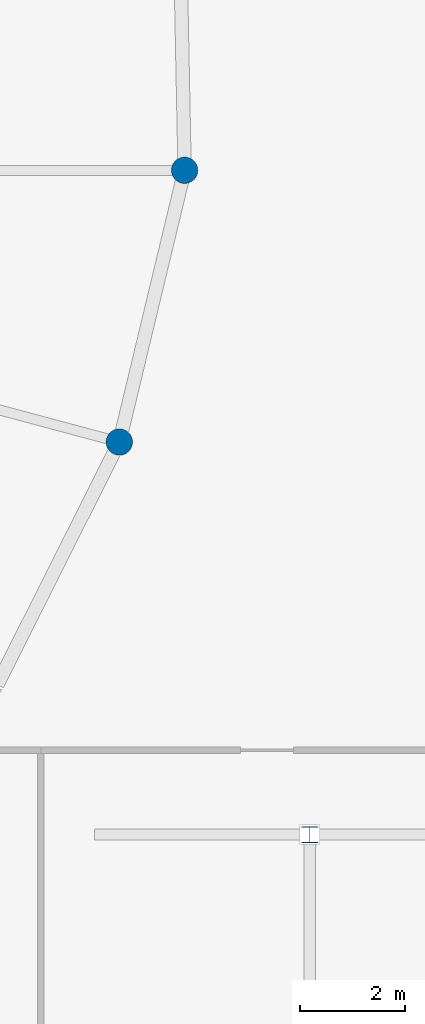
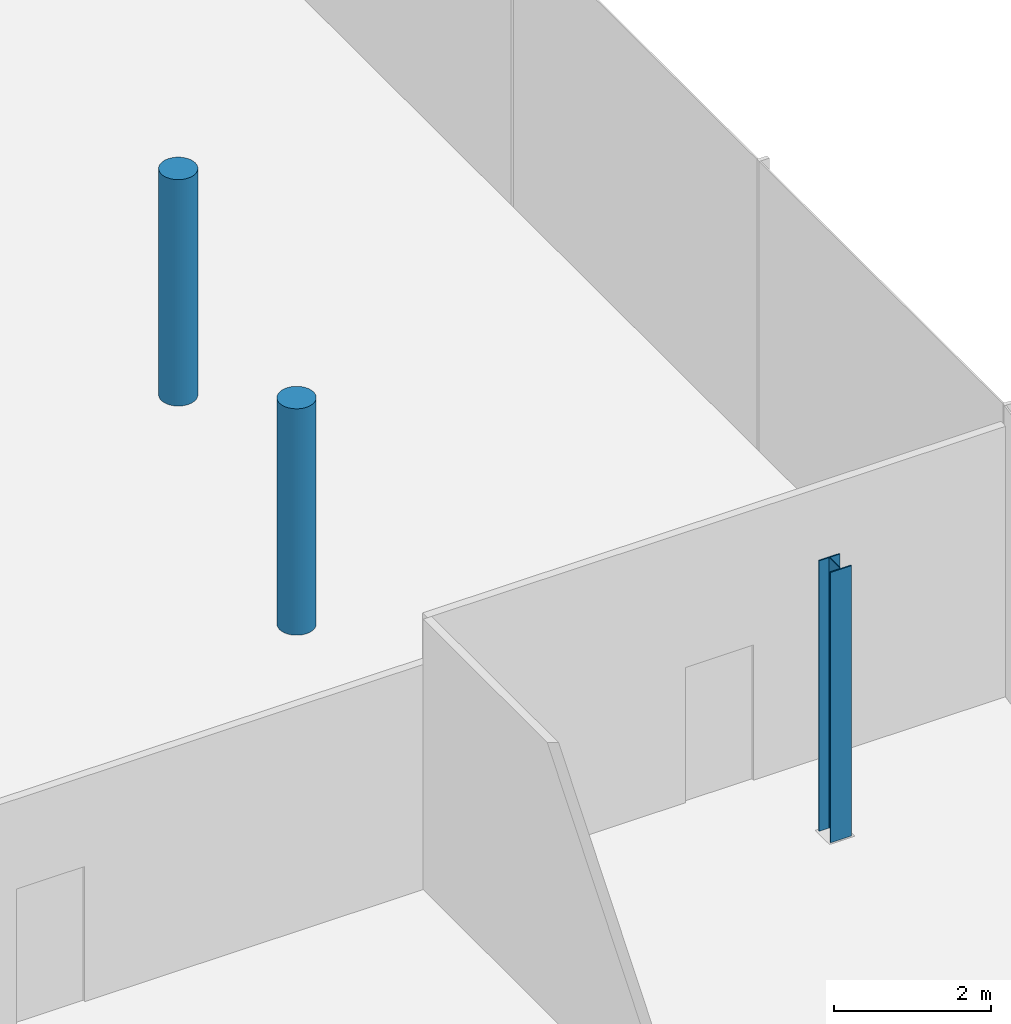
# One storey, part 6 of 49: 3 columns.
"""IFC4 building model written with IfcOpenShell, lengths in metres."""

from ifc_helpers import new_model, si_unit, direction, frame, origin, origin_2d, place, context, subcontext, project, spatial, circle, i_section, extrude, material, material_profile, profile_set, type_object, element, save


model = new_model("IFC4")

# Units and contexts
model_context = context("Model", 3, precision=1e-05, world=origin(), true_north=direction((0.0, 1.0)))
body_context = subcontext(model_context, "Body", "Model", "MODEL_VIEW")
ifc_project = project(units=[si_unit("LENGTHUNIT", "METRE"), si_unit("AREAUNIT", "SQUARE_METRE"), si_unit("VOLUMEUNIT", "CUBIC_METRE"), si_unit("PLANEANGLEUNIT", "RADIAN"), si_unit("MASSUNIT", "GRAM", prefix="KILO")], contexts=[model_context])

# Site, building, storey
site_placement = place(None, origin())
site = spatial("IfcSite", under=ifc_project, at=site_placement, CompositionType="ELEMENT")
building_placement = place(site_placement, origin())
building = spatial("IfcBuilding", under=site, at=building_placement, Name="Rimbun Link Towers", CompositionType="ELEMENT")
storey_placement = place(building_placement, frame((0.0, 0.0, 25.5)))
storey = spatial("IfcBuildingStorey", under=building, at=storey_placement, Name="L05", CompositionType="ELEMENT", Elevation=25.5)

# Columns
ifc_material_1 = material(Name="Concrete C80/95", Category="concrete")
ifc_material_profile_1 = material_profile(ifc_material_1, circle(Radius=0.25, at=origin_2d()), Name="RC D500")
ifc_profile_set_1 = profile_set([ifc_material_profile_1], Name="Concrete C80/95")
column_type_1 = type_object("IfcColumnType", Name="RC D500", PredefinedType="COLUMN", material=ifc_profile_set_1)
for number, where, z_axis, x_axis, name in (
    (1, (50.98828125, -5.15478515625, 0.0), (0.0, 0.0, 1.0), (1.0, 0.0, 0.0), "Recess post T2 L05 20"),
    (2, (52.226318359375, 0.0, 0.0), (0.0, 0.0, 1.0), (1.0, 0.0, 0.0), "Recess post T2 L05 21"),
):
    element("IfcColumn", number, at=place(storey_placement, frame(where, z_axis=z_axis, x_axis=x_axis)), inside=storey, type_object=column_type_1, Name=name, PredefinedType="COLUMN", context=body_context, shape_type="SweptSolid", body=[
        extrude(circle(Radius=0.25, at=origin_2d()), origin(), (0.0, 0.0, 1.0), 3.5166015625),
    ])
ifc_material_2 = material(Name="Steel S355J2", Category="steel")
ifc_material_profile_2 = material_profile(ifc_material_2, i_section(OverallWidth=0.307373046875, OverallDepth=0.314453125, WebThickness=0.011962890625, FlangeThickness=0.018798828125, at=origin_2d()), Name="UC 305x305x118")
ifc_profile_set_2 = profile_set([ifc_material_profile_2], Name="Steel S355J2")
column_type_2 = type_object("IfcColumnType", Name="UC 305x305x118", PredefinedType="COLUMN", material=ifc_profile_set_2)
column_placement = place(storey_placement, frame((54.60009765625, -12.60009765625, 0.0), z_axis=(0.0, 0.0, 1.0), x_axis=(1.0, 0.0, 0.0)))
element("IfcColumn", 3, at=column_placement, inside=storey, type_object=column_type_2, Name="Column L05 +54.6 -12.6", PredefinedType="COLUMN", context=body_context, shape_type="SweptSolid", body=[
    extrude(i_section(OverallWidth=0.307373046875, OverallDepth=0.314453125, WebThickness=0.011962890625, FlangeThickness=0.018798828125, at=origin_2d()), origin(), (0.0, 0.0, 1.0), 4.199951171875),
])

save(model, "model.ifc")
